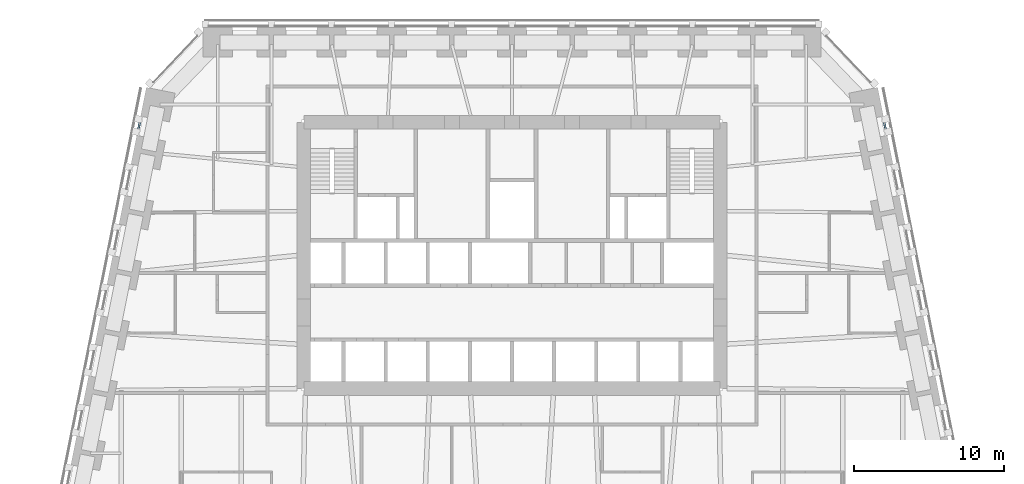
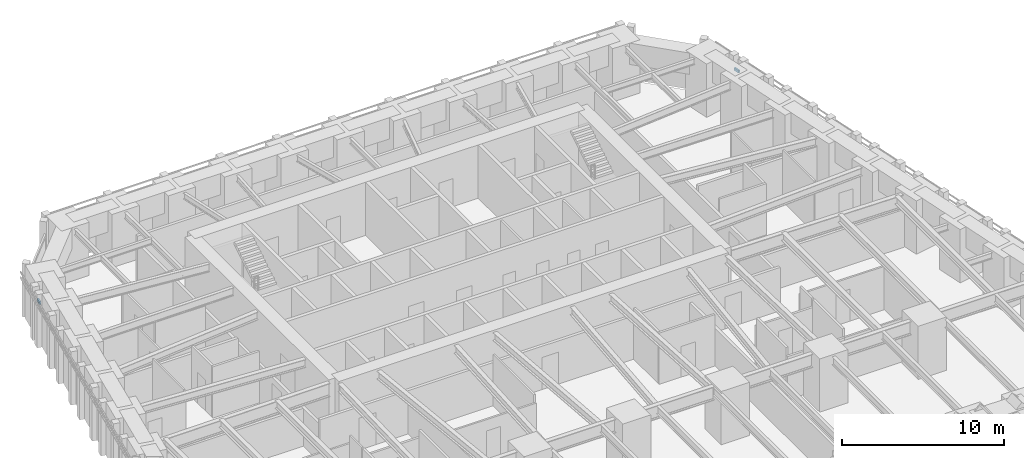
# One storey, part 6 of 16: 2 members, 2 elements without a shape of their own.
"""IFC4 building model written with IfcOpenShell, lengths in metres."""

import ifcopenshell
import ifcopenshell.guid

model = None  # the IFC model being written
_history = None  # IfcOwnerHistory: only IFC2X3 demands one
_inside = {}  # id of a spatial element -> (the spatial element, [elements in it])
_under = {}  # id of a project, library or spatial element -> (it, [spatial elements below it])
_declared = {}  # id of a project -> (the project, [libraries it declares])
_typed = {}  # id of a type object -> (the type object, [elements of that type])
_made_of = {}  # id of a material, layer set ... -> (it, [elements and type objects made of it])


def new_model(schema):
    """Start an empty IFC model of exactly this schema.

    Asked for "IFC4X3", IfcOpenShell would pick the latest addendum, in which some entities
    have other attributes; the version numbers below select the first issue.
    IFC2X3 requires an IfcOwnerHistory on every rooted entity: one is made here for all.
    """
    global model, _history
    if schema == "IFC4X3":
        model = ifcopenshell.file(schema_version=(4, 3, 0, 0))
    else:
        model = ifcopenshell.file(schema=schema)
    _inside.clear()
    _under.clear()
    _declared.clear()
    _typed.clear()
    _made_of.clear()
    _history = None
    if model.schema == "IFC2X3":
        org = make("IfcOrganization", Name="unknown")
        user = make(
            "IfcPersonAndOrganization",
            ThePerson=make("IfcPerson", FamilyName="unknown"),
            TheOrganization=org,
        )
        app = make(
            "IfcApplication",
            ApplicationDeveloper=org,
            Version="unknown",
            ApplicationFullName="unknown",
            ApplicationIdentifier="unknown",
        )
        _history = make(
            "IfcOwnerHistory",
            OwningUser=user,
            OwningApplication=app,
            ChangeAction="ADDED",
            CreationDate=0,
        )
    return model


def make(cls, **values):
    """One entity of the class cls with the attributes given. An attribute that is None is left unset."""
    return model.create_entity(
        cls, **{name: value for name, value in values.items() if value is not None}
    )


def rooted(cls, **values):
    """An entity with a GlobalId (a new one), such as an element, a storey or a relation."""
    return make(cls, GlobalId=ifcopenshell.guid.new(), OwnerHistory=_history, **values)


def si_unit(unit_type, name, prefix=None):
    """IfcSIUnit, for example si_unit("LENGTHUNIT", "METRE", prefix="MILLI")."""
    return make("IfcSIUnit", UnitType=unit_type, Prefix=prefix, Name=name)


def assignment(units):
    """IfcUnitAssignment: the units of a project."""
    return None if units is None else make("IfcUnitAssignment", Units=units)


def point(xyz):
    """IfcCartesianPoint."""
    return None if xyz is None else make("IfcCartesianPoint", Coordinates=xyz)


def direction(xyz):
    """IfcDirection."""
    return None if xyz is None else make("IfcDirection", DirectionRatios=xyz)


def frame(location, z_axis=None, x_axis=None):
    """IfcAxis2Placement3D, a coordinate frame: its origin and axes. An axis left out is left unset."""
    return make(
        "IfcAxis2Placement3D",
        Location=point(location),
        Axis=direction(z_axis),
        RefDirection=direction(x_axis),
    )


def frame_2d(location, x_axis=None):
    """IfcAxis2Placement2D, a coordinate frame in the plane: its origin and x axis."""
    return make(
        "IfcAxis2Placement2D", Location=point(location), RefDirection=direction(x_axis)
    )


def origin():
    """The frame at (0, 0, 0) with its axes left unset."""
    return frame((0.0, 0.0, 0.0))


def origin_2d():
    """The frame at (0, 0) in the plane with its x axis left unset."""
    return frame_2d((0.0, 0.0))


def place(relative_to, where):
    """IfcLocalPlacement: puts the frame where relative to a parent placement (None: the world)."""
    return make(
        "IfcLocalPlacement", PlacementRelTo=relative_to, RelativePlacement=where
    )


def context(
    kind, dimensions, precision=None, world=None, true_north=None, identifier=None
):
    """IfcGeometricRepresentationContext, for example the 3D "Model" context."""
    return make(
        "IfcGeometricRepresentationContext",
        ContextIdentifier=identifier,
        ContextType=kind,
        CoordinateSpaceDimension=dimensions,
        Precision=precision,
        WorldCoordinateSystem=world,
        TrueNorth=true_north,
    )


def subcontext(parent, identifier, kind, view, scale=None):
    """IfcGeometricRepresentationSubContext, for example "Body" below "Model"."""
    return make(
        "IfcGeometricRepresentationSubContext",
        ContextIdentifier=identifier,
        ContextType=kind,
        ParentContext=parent,
        TargetScale=scale,
        TargetView=view,
    )


def project(units=None, contexts=None):
    """IfcProject with its units and contexts."""
    return rooted(
        "IfcProject",
        Name="project",
        RepresentationContexts=contexts,
        UnitsInContext=assignment(units),
    )


def spatial(cls, under=None, at=None, **own):
    """A site, building, storey or space (cls), placed at a placement, below another one or the project."""
    s = rooted(cls, ObjectPlacement=at, **own)
    if under is not None:
        _under.setdefault(under.id(), (under, []))[1].append(s)
    return s


def profile(cls, at=None, kind="AREA", **sizes):
    """A parametric profile (cls). Its sizes go by their IFC names, for example OverallWidth=200.0."""
    return make(cls, ProfileType=kind, Position=at, **sizes)


def rectangle(**sizes):
    """IfcRectangleProfileDef."""
    return profile("IfcRectangleProfileDef", **sizes)


def extrude(swept, where, along, depth):
    """IfcExtrudedAreaSolid: the profile swept, set in the frame where, extruded along a direction by depth."""
    return make(
        "IfcExtrudedAreaSolid",
        SweptArea=swept,
        Position=where,
        ExtrudedDirection=direction(along),
        Depth=depth,
    )


def shape(context_of_items, identifier, shape_type, items):
    """IfcShapeRepresentation: the items that make up one representation, for example the "Body"."""
    return make(
        "IfcShapeRepresentation",
        ContextOfItems=context_of_items,
        RepresentationIdentifier=identifier,
        RepresentationType=shape_type,
        Items=items,
    )


def material(Name=None, Category=None):
    """IfcMaterial."""
    return make("IfcMaterial", Name=Name, Category=Category)


def material_profile(
    of_material, cross_section, Name=None, Category=None, Priority=None
):
    """IfcMaterialProfile: a cross section and its material."""
    return make(
        "IfcMaterialProfile",
        Name=Name,
        Material=of_material,
        Profile=cross_section,
        Priority=Priority,
        Category=Category,
    )


def profile_set(profiles, Name=None, composite=None):
    """IfcMaterialProfileSet."""
    return make(
        "IfcMaterialProfileSet",
        Name=Name,
        MaterialProfiles=profiles,
        CompositeProfile=composite,
    )


def made_of(thing, what):
    """Note that an element or type object is made of a material, layer set ...; save() writes the relation."""
    if what is not None:
        _made_of.setdefault(what.id(), (what, []))[1].append(thing)
    return thing


def type_object(cls, material=None, **own):
    """A type object (cls), such as IfcWallType, which elements share."""
    return made_of(rooted(cls, **own), material)


def element(
    cls,
    number,
    at=None,
    inside=None,
    cuts=None,
    type_object=None,
    material=None,
    context=None,
    identifier="Body",
    shape_type=None,
    held_by="IfcProductDefinitionShape",
    body=None,
    shapes=None,
    **own,
):
    """One element of the class cls, such as IfcWall. Its Tag is "e" and its number.

    at: its placement. inside: the storey or other place that contains it. cuts: it is an
    opening in that element (IfcRelVoidsElement). A single representation is given by context,
    identifier, shape_type and body (its items); several are given by shapes. held_by: the class
    of the entity that holds the representations. save() writes the other relations.
    """
    e = rooted(cls, Tag="e%d" % number, ObjectPlacement=at, **own)
    if body is not None:
        shapes = [shape(context, identifier, shape_type, body)]
    if shapes is not None:
        e.Representation = make(held_by, Representations=shapes)
    if inside is not None:
        _inside.setdefault(inside.id(), (inside, []))[1].append(e)
    if cuts is not None:
        rooted(
            "IfcRelVoidsElement", RelatingBuildingElement=cuts, RelatedOpeningElement=e
        )
    if type_object is not None:
        _typed.setdefault(type_object.id(), (type_object, []))[1].append(e)
    return made_of(e, material)


def aggregate(whole, parts):
    """IfcRelAggregates: a whole, such as a stair, and the parts it consists of."""
    return rooted("IfcRelAggregates", RelatingObject=whole, RelatedObjects=parts)


def save(model, path):
    """Write the relations noted so far, then the file.

    IfcRelAggregates (storeys below a building ...), IfcRelContainedInSpatialStructure (elements
    in a storey), IfcRelDefinesByType, IfcRelAssociatesMaterial and IfcRelDeclares: one each for
    every whole, place, type object, material and project.
    """
    for whole, parts in _under.values():
        aggregate(whole, parts)
    for where, things in _inside.values():
        rooted(
            "IfcRelContainedInSpatialStructure",
            RelatedElements=things,
            RelatingStructure=where,
        )
    for kind, things in _typed.values():
        rooted("IfcRelDefinesByType", RelatedObjects=things, RelatingType=kind)
    for what, things in _made_of.values():
        rooted("IfcRelAssociatesMaterial", RelatedObjects=things, RelatingMaterial=what)
    for by, libraries in _declared.values():
        rooted("IfcRelDeclares", RelatingContext=by, RelatedDefinitions=libraries)
    model.write(path)


model = new_model("IFC4")

# Units and contexts
model_context = context("Model", 3, precision=1e-05, world=origin(), true_north=direction((0.0, 1.0)))
body_context = subcontext(model_context, "Body", "Model", "MODEL_VIEW")
ifc_project = project(units=[si_unit("LENGTHUNIT", "METRE"), si_unit("AREAUNIT", "SQUARE_METRE"), si_unit("VOLUMEUNIT", "CUBIC_METRE"), si_unit("PLANEANGLEUNIT", "RADIAN"), si_unit("MASSUNIT", "GRAM", prefix="KILO")], contexts=[model_context])

# Site, building, storey
site_placement = place(None, origin())
site = spatial("IfcSite", under=ifc_project, at=site_placement, CompositionType="ELEMENT")
building_placement = place(site_placement, origin())
building = spatial("IfcBuilding", under=site, at=building_placement, Name="Isbrekke Arena Tower", CompositionType="ELEMENT")
storey_placement = place(building_placement, frame((0.0, 0.0, 40.0)))
storey = spatial("IfcBuildingStorey", under=building, at=storey_placement, Name="L07", CompositionType="ELEMENT", Elevation=40.0)

# Curtain wall, member
ifc_material_1 = material(Name="Glazed aluminium curtain wall", Category="aluminium")
curtain_wall_type = type_object("IfcCurtainWallType", Name="CWL TOWER CURTAIN WALL LOW ZONE", PredefinedType="USERDEFINED", material=ifc_material_1)
curtain_wall_1_placement = place(storey_placement, origin())
curtain_wall_1 = element("IfcCurtainWall", 1, at=curtain_wall_1_placement, inside=storey, type_object=curtain_wall_type, Name="CWL curtain wall L07-E19", ObjectType="TOWER CURTAIN WALL LOW ZONE", PredefinedType="USERDEFINED")
ifc_material_2 = material(Name="Aluminium transom", Category="aluminium")
ifc_material_profile = material_profile(ifc_material_2, rectangle(XDim=0.1201171875, YDim=0.199951171875, at=origin_2d()), Name="TRANSOM 120X200")
ifc_profile_set = profile_set([ifc_material_profile], Name="Aluminium transom")
member_type = type_object("IfcMemberType", Name="CWL-T TRANSOM 120 x 200", PredefinedType="USERDEFINED", material=ifc_profile_set)
member_1_placement = place(storey_placement, frame((24.843017578125, 23.421875, 3.0), z_axis=(-0.196000512897, 0.98060379305, 0.0), x_axis=(-0.98060379305, -0.196000512897, 0.0)))
member_1 = element("IfcMember", 2, at=member_1_placement, type_object=member_type, Name="CWL-T transom 1", ObjectType="TRANSOM", PredefinedType="USERDEFINED", context=body_context, shape_type="SweptSolid", body=[
    extrude(rectangle(XDim=0.1201171875, YDim=0.199951171875, at=origin_2d()), origin(), (0.0, 0.0, 1.0), 0.406005859375),
])
aggregate(curtain_wall_1, [member_1])

curtain_wall_2_placement = place(storey_placement, origin())
curtain_wall_2 = element("IfcCurtainWall", 3, at=curtain_wall_2_placement, inside=storey, type_object=curtain_wall_type, Name="CWL curtain wall L07-W", ObjectType="TOWER CURTAIN WALL LOW ZONE", PredefinedType="USERDEFINED")
member_2_placement = place(storey_placement, frame((-24.763427734375, 23.820068359375, 3.0), z_axis=(-0.196000512897, -0.98060379305, 0.0), x_axis=(0.98060379305, -0.196000512897, 0.0)))
member_2 = element("IfcMember", 4, at=member_2_placement, type_object=member_type, Name="CWL-T transom 1", ObjectType="TRANSOM", PredefinedType="USERDEFINED", context=body_context, shape_type="SweptSolid", body=[
    extrude(rectangle(XDim=0.1201171875, YDim=0.199951171875, at=origin_2d()), origin(), (0.0, 0.0, 1.0), 0.406005859375),
])
aggregate(curtain_wall_2, [member_2])

save(model, "model.ifc")
